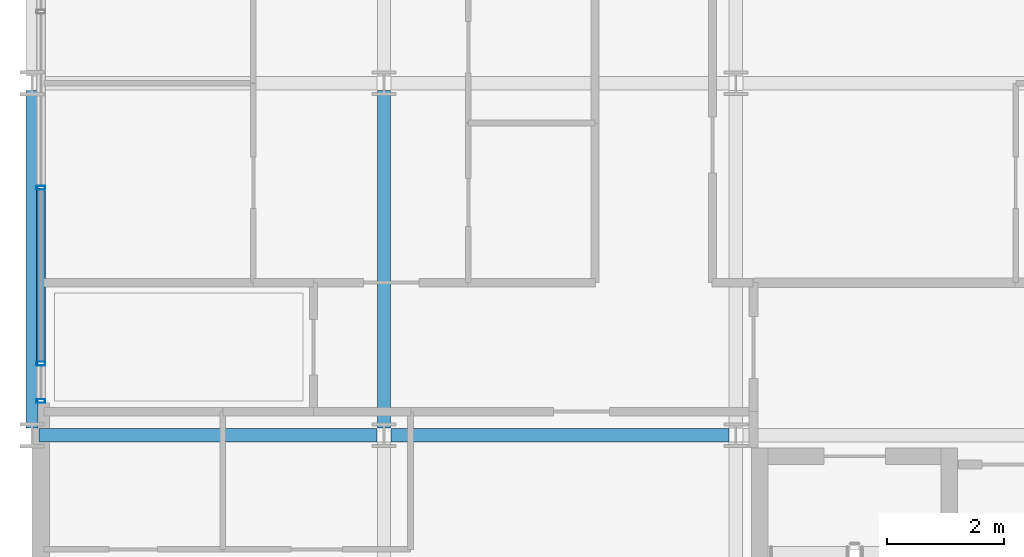
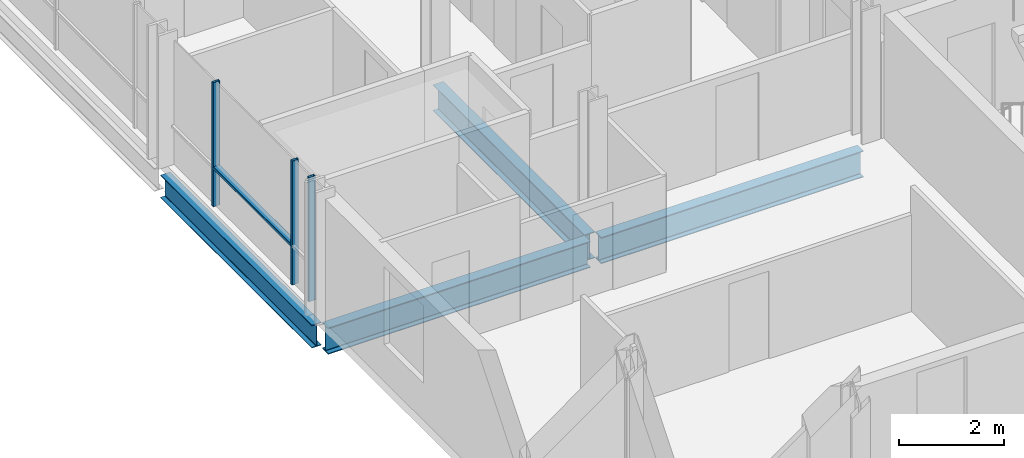
# One storey, part 2 of 40: 4 beams, 4 members, 1 element without a shape of its own.
"""IFC4 building model written with IfcOpenShell, lengths in metres."""

from ifc_helpers import new_model, si_unit, direction, frame, origin, origin_2d, place, context, subcontext, project, spatial, hollow_rectangle, i_section, extrude, material, layer, layer_set, material_profile, profile_set, type_object, element, aggregate, save


model = new_model("IFC4")

# Units and contexts
model_context = context("Model", 3, precision=1e-05, world=origin(), true_north=direction((0.0, 1.0)))
body_context = subcontext(model_context, "Body", "Model", "MODEL_VIEW")
ifc_project = project(units=[si_unit("LENGTHUNIT", "METRE"), si_unit("AREAUNIT", "SQUARE_METRE"), si_unit("VOLUMEUNIT", "CUBIC_METRE"), si_unit("PLANEANGLEUNIT", "RADIAN"), si_unit("MASSUNIT", "GRAM", prefix="KILO")], contexts=[model_context])

# Site, building, storey
site_placement = place(None, origin())
site = spatial("IfcSite", under=ifc_project, at=site_placement, CompositionType="ELEMENT")
building_placement = place(site_placement, origin())
building = spatial("IfcBuilding", under=site, at=building_placement, Name="Brevholm Reach", CompositionType="ELEMENT")
storey_placement = place(building_placement, frame((0.0, 0.0, 119.0)))
storey = spatial("IfcBuildingStorey", under=building, at=storey_placement, Name="L35", CompositionType="ELEMENT", Elevation=119.0)

# Beams
ifc_material_1 = material(Name="Structural Steel S355J2", Category="steel")
ifc_material_profile_1 = material_profile(ifc_material_1, i_section(OverallWidth=0.209228515625, OverallDepth=0.533203125, WebThickness=0.010009765625, FlangeThickness=0.015625, FilletRadius=0.0126953125, at=origin_2d()), Name="UKB 533x210x92")
ifc_profile_set_1 = profile_set([ifc_material_profile_1], Name="Structural Steel S355J2")
beam_type_1 = type_object("IfcBeamType", Name="BM-SP533", PredefinedType="SPANDREL", material=ifc_profile_set_1)
beam_placement = place(storey_placement, frame((0.0, 10.1201171875, -0.486572265625), z_axis=(0.0, 1.0, 0.0), x_axis=(-1.0, 0.0, 0.0)))
element("IfcBeam", 1, at=beam_placement, inside=storey, type_object=beam_type_1, Name="L35 SP-02 Framing Beam", PredefinedType="SPANDREL", context=body_context, shape_type="SweptSolid", body=[
    extrude(i_section(OverallWidth=0.209228515625, OverallDepth=0.533203125, WebThickness=0.010009765625, FlangeThickness=0.015625, FilletRadius=0.0126953125, at=origin_2d()), origin(), (0.0, 0.0, 1.0), 5.759765625),
])
ifc_material_2 = material(Name="Structural Steel S355J2", Category="steel")
ifc_material_profile_2 = material_profile(ifc_material_2, i_section(OverallWidth=0.22900390625, OverallDepth=0.6123046875, WebThickness=0.011962890625, FlangeThickness=0.01953125, FilletRadius=0.0126953125, at=origin_2d()), Name="UKB 610x229x125")
ifc_profile_set_2 = profile_set([ifc_material_profile_2], Name="Structural Steel S355J2")
beam_type_2 = type_object("IfcBeamType", Name="BM-SP610", PredefinedType="SPANDREL", material=ifc_profile_set_2)
for number, where, z_axis, x_axis, name in (
    (2, (0.1201171875, 10.0, -0.526123046875), (1.0, 0.0, 0.0), (0.0, 1.0, 0.0), "L35 SP-01 Framing Beam"),
    (3, (6.1201171875, 10.0, -0.526123046875), (1.0, 0.0, 0.0), (0.0, 1.0, 0.0), "L35 SP-01 Framing Beam"),
    (4, (6.0, 10.1201171875, -0.526123046875), (0.0, 1.0, 0.0), (-1.0, 0.0, 0.0), "L35 SP-01 Framing Beam"),
):
    element("IfcBeam", number, at=place(storey_placement, frame(where, z_axis=z_axis, x_axis=x_axis)), inside=storey, type_object=beam_type_2, Name=name, PredefinedType="SPANDREL", context=body_context, shape_type="SweptSolid", body=[
        extrude(i_section(OverallWidth=0.22900390625, OverallDepth=0.6123046875, WebThickness=0.011962890625, FlangeThickness=0.01953125, FilletRadius=0.0126953125, at=origin_2d()), origin(), (0.0, 0.0, 1.0), 5.759765625),
    ])

# Curtain wall, members
ifc_material_3 = material(Name="Dark Anodised Aluminium 6063-T6 and Solar-Control Glass", Category="aluminium")
ifc_layer = layer(ifc_material_3, 0.14990234375)
ifc_layer_set = layer_set([ifc_layer], Name="Dark Anodised Aluminium 6063-T6 and Solar-Control Glass")
curtain_wall_type = type_object("IfcCurtainWallType", Name="CW-01", PredefinedType="NOTDEFINED", material=ifc_layer_set)
curtain_wall_placement = place(storey_placement, origin())
curtain_wall = element("IfcCurtainWall", 5, at=curtain_wall_placement, inside=storey, type_object=curtain_wall_type, Name="L35 Curtain Wall CW-01", PredefinedType="NOTDEFINED")
ifc_material_4 = material(Name="Dark Anodised Aluminium 6063-T6", Category="aluminium")
ifc_material_profile_3 = material_profile(ifc_material_4, hollow_rectangle(XDim=0.06494140625, YDim=0.14990234375, WallThickness=0.0048828125, InnerFilletRadius=0.0048828125, OuterFilletRadius=0.010009765625, at=origin_2d()), Name="RHS 150x65x5")
ifc_profile_set_3 = profile_set([ifc_material_profile_3], Name="Dark Anodised Aluminium 6063-T6")
member_type_1 = type_object("IfcMemberType", Name="CWM-150", PredefinedType="MULLION", material=ifc_profile_set_3)
member_1_placement = place(storey_placement, frame((0.14990234375, 14.219970703125, 0.0), z_axis=(0.0, 0.0, 1.0), x_axis=(0.0, -1.0, 0.0)))
member_1 = element("IfcMember", 6, at=member_1_placement, type_object=member_type_1, Name="CM-150 Mullion 4", PredefinedType="MULLION", context=body_context, shape_type="SweptSolid", body=[
    extrude(hollow_rectangle(XDim=0.06494140625, YDim=0.14990234375, WallThickness=0.0048828125, InnerFilletRadius=0.0048828125, OuterFilletRadius=0.010009765625, at=origin_2d()), origin(), (0.0, 0.0, 1.0), 2.8798828125),
])
member_2_placement = place(storey_placement, frame((0.14990234375, 11.219970703125, 0.0), z_axis=(0.0, 0.0, 1.0), x_axis=(0.0, -1.0, 0.0)))
member_2 = element("IfcMember", 7, at=member_2_placement, type_object=member_type_1, Name="CM-150 Mullion 5", PredefinedType="MULLION", context=body_context, shape_type="SweptSolid", body=[
    extrude(hollow_rectangle(XDim=0.06494140625, YDim=0.14990234375, WallThickness=0.0048828125, InnerFilletRadius=0.0048828125, OuterFilletRadius=0.010009765625, at=origin_2d()), origin(), (0.0, 0.0, 1.0), 2.8798828125),
])
member_3_placement = place(storey_placement, frame((0.14990234375, 10.58251953125, 0.0), z_axis=(0.0, 0.0, 1.0), x_axis=(0.0, -1.0, 0.0)))
member_3 = element("IfcMember", 8, at=member_3_placement, type_object=member_type_1, Name="CM-150 Mullion 6", PredefinedType="MULLION", context=body_context, shape_type="SweptSolid", body=[
    extrude(hollow_rectangle(XDim=0.06494140625, YDim=0.14990234375, WallThickness=0.0048828125, InnerFilletRadius=0.0048828125, OuterFilletRadius=0.010009765625, at=origin_2d()), origin(), (0.0, 0.0, 1.0), 2.8798828125),
])
ifc_material_5 = material(Name="Dark Anodised Aluminium 6063-T6", Category="aluminium")
ifc_material_profile_4 = material_profile(ifc_material_5, hollow_rectangle(XDim=0.06494140625, YDim=0.14990234375, WallThickness=0.0048828125, InnerFilletRadius=0.0048828125, OuterFilletRadius=0.010009765625, at=origin_2d()), Name="RHS 150x65x5")
ifc_profile_set_4 = profile_set([ifc_material_profile_4], Name="Dark Anodised Aluminium 6063-T6")
member_type_2 = type_object("IfcMemberType", Name="CWT-150", PredefinedType="NOTDEFINED", material=ifc_profile_set_4)
member_4_placement = place(storey_placement, frame((0.14990234375, 14.1875, 0.89990234375), z_axis=(0.0, -1.0, 0.0), x_axis=(0.0, 0.0, 1.0)))
member_4 = element("IfcMember", 9, at=member_4_placement, type_object=member_type_2, Name="CT-150 Transom 4.1", ObjectType="TRANSOM", PredefinedType="USERDEFINED", context=body_context, shape_type="SweptSolid", body=[
    extrude(hollow_rectangle(XDim=0.06494140625, YDim=0.14990234375, WallThickness=0.0048828125, InnerFilletRadius=0.0048828125, OuterFilletRadius=0.010009765625, at=origin_2d()), origin(), (0.0, 0.0, 1.0), 2.93505859375),
])
aggregate(curtain_wall, [member_1, member_2, member_3, member_4])

save(model, "model.ifc")
